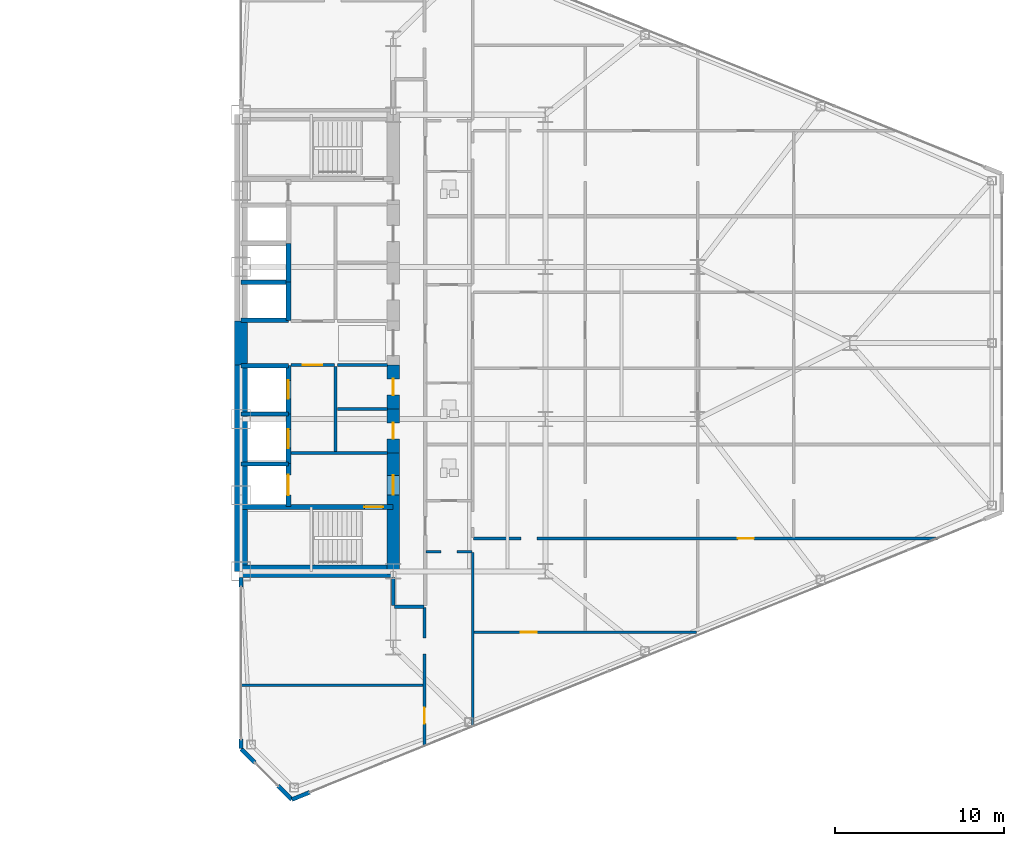
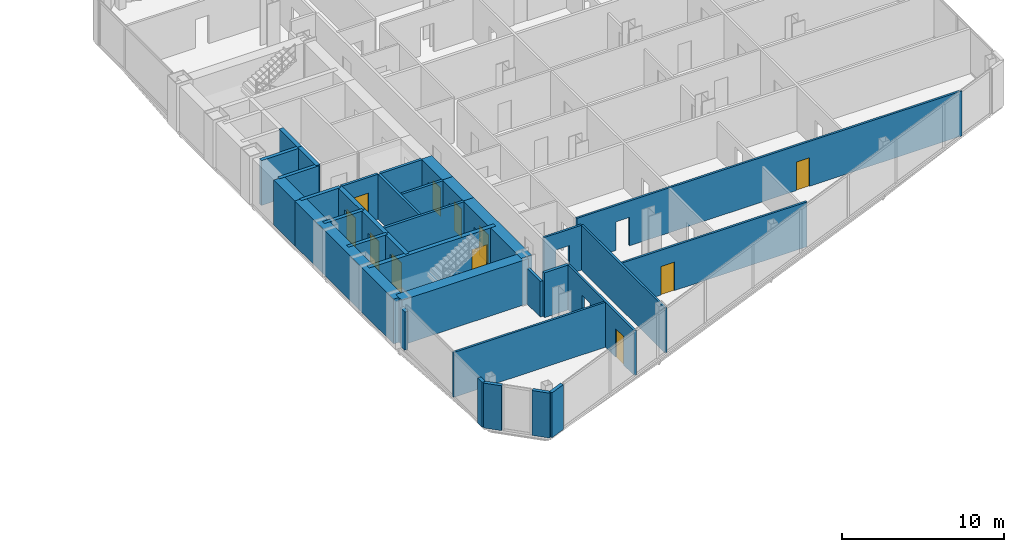
# One storey, part 20 of 25: 35 walls, 11 doors, 14 openings.
"""IFC4 building model written with IfcOpenShell, lengths in metres."""

from ifc_helpers import new_model, si_unit, direction, frame, frame_2d, origin, place, context, subcontext, project, spatial, rectangle, extrude, source, transform, mapped, material, layer, layer_set, type_object, type_shapes, element, fill, save


model = new_model("IFC4")

# Units and contexts
model_context = context("Model", 3, precision=1e-05, world=origin(), true_north=direction((0.0, 1.0)))
body_context = subcontext(model_context, "Body", "Model", "MODEL_VIEW")
ifc_project = project(units=[si_unit("LENGTHUNIT", "METRE"), si_unit("AREAUNIT", "SQUARE_METRE"), si_unit("VOLUMEUNIT", "CUBIC_METRE"), si_unit("PLANEANGLEUNIT", "RADIAN"), si_unit("MASSUNIT", "GRAM", prefix="KILO")], contexts=[model_context])

# Site, building, storey
site_placement = place(None, origin())
site = spatial("IfcSite", under=ifc_project, at=site_placement, CompositionType="ELEMENT")
building_placement = place(site_placement, origin())
building = spatial("IfcBuilding", under=site, at=building_placement, Name="Seokmaru Belvedere", CompositionType="ELEMENT")
storey_placement = place(building_placement, frame((0.0, 0.0, 29.699951171875)))
storey = spatial("IfcBuildingStorey", under=building, at=storey_placement, Name="L07", CompositionType="ELEMENT", Elevation=29.699951171875)

# Wall
ifc_material_1 = material(Name="Fire-Rated Gypsum Shaftwall")
ifc_layer_1 = layer(ifc_material_1, 0.14990234375)
ifc_layer_set_1 = layer_set([ifc_layer_1], Name="Fire-Rated Gypsum Shaftwall")
wall_type_1 = type_object("IfcWallType", Name="Apartment Fire-Acoustic Room Partition 150", PredefinedType="PARTITIONING", material=ifc_layer_set_1)
wall_1_placement = place(storey_placement, frame((27.465087890625, -20.25, 0.0), z_axis=(0.0, 0.0, 1.0), x_axis=(1.0, 0.0, 0.0)))
element("IfcWall", 1, at=wall_1_placement, inside=storey, type_object=wall_type_1, Name="L07 Interior Partition 002", PredefinedType="PARTITIONING", context=body_context, shape_type="SweptSolid", body=[
    extrude(rectangle(XDim=10.8349609375, YDim=0.14990234375, at=frame_2d((5.41748046875, 0.0))), origin(), (0.0, 0.0, 1.0), 3.380126953125),
])

# Wall, opening, door
wall_2_placement = place(storey_placement, frame((41.25, -17.110107421875, 0.0), z_axis=(0.0, 0.0, 1.0), x_axis=(1.0, 0.0, 0.0)))
wall_2 = element("IfcWall", 2, at=wall_2_placement, inside=storey, type_object=wall_type_1, Name="L07 Interior Partition 004", PredefinedType="PARTITIONING", context=body_context, shape_type="SweptSolid", body=[
    extrude(rectangle(XDim=13.199951171875, YDim=0.14990234375, at=frame_2d((6.60009765625, 0.0))), origin(), (0.0, 0.0, 1.0), 3.380126953125),
])
opening_1_placement = place(wall_2_placement, frame((2.800048828125, 0.0, 0.0)))
opening_1 = element("IfcOpeningElement", 3, at=opening_1_placement, cuts=wall_2, Name="Opening D05", PredefinedType="OPENING", context=body_context, shape_type="SweptSolid", body=[
    extrude(rectangle(XDim=0.949951171875, YDim=2.14990234375, at=frame_2d((0.47509765625, 1.074951171875))), frame((0.0, 0.0849609375, 0.0), z_axis=(0.0, -1.0, 0.0), x_axis=(1.0, 0.0, 0.0)), (0.0, 0.0, 1.0), 0.169921875),
])
ifc_material_2 = material(Name="Engineered White Oak Timber", Category="wood")
door_type_1 = type_object("IfcDoorType", Name="Apartment Interior Fire-Rated Oak Door 950x2150", OperationType="NOTDEFINED", PredefinedType="DOOR", material=ifc_material_2)
shared_shape_1 = source(origin(), body_context, "Body", "SweptSolid", [
    extrude(rectangle(XDim=0.949951171875, YDim=2.14990234375, at=frame_2d((0.47509765625, 1.074951171875))), frame((0.0, 0.02490234375, 0.0), z_axis=(0.0, -1.0, 0.0), x_axis=(1.0, 0.0, 0.0)), (0.0, 0.0, 1.0), 0.050048828125),
])
type_shapes(door_type_1, [shared_shape_1])
door_1_placement = place(opening_1_placement, origin())
door_1 = element("IfcDoor", 4, at=door_1_placement, inside=storey, type_object=door_type_1, Name="L07 Interior Door 047", OperationType="SINGLE_SWING_RIGHT", OverallHeight=2.14990234375, OverallWidth=0.949951171875, PredefinedType="DOOR", context=body_context, shape_type="MappedRepresentation", body=[
    mapped(shared_shape_1, transform((0.0, 0.0, 0.0), scale=1.0)),
])
fill(opening_1, door_1)

# Wall, opening
wall_3_placement = place(storey_placement, frame((38.449951171875, -12.330078125, 0.0), z_axis=(0.0, 0.0, 1.0), x_axis=(1.0, 0.0, 0.0)))
wall_3 = element("IfcWall", 5, at=wall_3_placement, inside=storey, type_object=wall_type_1, Name="L07 Interior Partition 009", PredefinedType="PARTITIONING", context=body_context, shape_type="SweptSolid", body=[
    extrude(rectangle(XDim=2.699951171875, YDim=0.14990234375, at=frame_2d((1.35009765625, 0.0))), origin(), (0.0, 0.0, 1.0), 3.380126953125),
])
opening_2_placement = place(wall_3_placement, frame((0.875, 0.0, 0.0)))
element("IfcOpeningElement", 6, at=opening_2_placement, cuts=wall_3, Name="L07 Cased Opening 040", PredefinedType="OPENING", context=body_context, shape_type="SweptSolid", body=[
    extrude(rectangle(XDim=0.949951171875, YDim=2.14990234375, at=frame_2d((0.47509765625, 1.074951171875))), frame((0.0, 0.0849609375, 0.0), z_axis=(0.0, -1.0, 0.0), x_axis=(1.0, 0.0, 0.0)), (0.0, 0.0, 1.0), 0.169921875),
])

# Wall, openings, door
wall_4_placement = place(storey_placement, frame((41.25, -11.56005859375, 0.0), z_axis=(0.0, 0.0, 1.0), x_axis=(1.0, 0.0, 0.0)))
wall_4 = element("IfcWall", 7, at=wall_4_placement, inside=storey, type_object=wall_type_1, Name="L07 Interior Partition 010", PredefinedType="PARTITIONING", context=body_context, shape_type="SweptSolid", body=[
    extrude(rectangle(XDim=27.43994140625, YDim=0.14990234375, at=frame_2d((13.719970703125, 0.0))), origin(), (0.0, 0.0, 1.0), 3.380126953125),
])
opening_3_placement = place(wall_4_placement, frame((2.800048828125, 0.0, 0.0)))
element("IfcOpeningElement", 8, at=opening_3_placement, cuts=wall_4, Name="L07 Cased Opening 042", PredefinedType="OPENING", context=body_context, shape_type="SweptSolid", body=[
    extrude(rectangle(XDim=0.949951171875, YDim=2.14990234375, at=frame_2d((0.47509765625, 1.074951171875))), frame((0.0, 0.0849609375, 0.0), z_axis=(0.0, -1.0, 0.0), x_axis=(1.0, 0.0, 0.0)), (0.0, 0.0, 1.0), 0.169921875),
])
opening_4_placement = place(wall_4_placement, frame((15.625, 0.0, 0.0)))
opening_4 = element("IfcOpeningElement", 9, at=opening_4_placement, cuts=wall_4, Name="Opening D05", PredefinedType="OPENING", context=body_context, shape_type="SweptSolid", body=[
    extrude(rectangle(XDim=0.949951171875, YDim=2.14990234375, at=frame_2d((0.47509765625, 1.074951171875))), frame((0.0, 0.0849609375, 0.0), z_axis=(0.0, -1.0, 0.0), x_axis=(1.0, 0.0, 0.0)), (0.0, 0.0, 1.0), 0.169921875),
])
door_2_placement = place(opening_4_placement, origin())
door_2 = element("IfcDoor", 10, at=door_2_placement, inside=storey, type_object=door_type_1, Name="L07 Interior Door 045", OperationType="SINGLE_SWING_RIGHT", OverallHeight=2.14990234375, OverallWidth=0.949951171875, PredefinedType="DOOR", context=body_context, shape_type="MappedRepresentation", body=[
    mapped(shared_shape_1, transform((0.0, 0.0, 0.0), scale=1.0)),
])
fill(opening_4, door_2)

wall_5_placement = place(storey_placement, frame((38.35009765625, -23.85791015625, 0.0), z_axis=(0.0, 0.0, 1.0), x_axis=(0.0, 1.0, 0.0)))
wall_5 = element("IfcWall", 11, at=wall_5_placement, inside=storey, type_object=wall_type_1, Name="L07 Interior Partition 052", PredefinedType="PARTITIONING", context=body_context, shape_type="SweptSolid", body=[
    extrude(rectangle(XDim=8.2080078125, YDim=0.14990234375, at=frame_2d((4.10400390625, 0.0))), origin(), (0.0, 0.0, 1.0), 3.380126953125),
])
opening_5_placement = place(wall_5_placement, frame((1.3466796875, 0.0, 0.0)))
opening_5 = element("IfcOpeningElement", 12, at=opening_5_placement, cuts=wall_5, Name="Opening D05", PredefinedType="OPENING", context=body_context, shape_type="SweptSolid", body=[
    extrude(rectangle(XDim=0.949951171875, YDim=2.14990234375, at=frame_2d((0.47509765625, 1.074951171875))), frame((0.0, 0.0849609375, 0.0), z_axis=(0.0, -1.0, 0.0), x_axis=(1.0, 0.0, 0.0)), (0.0, 0.0, 1.0), 0.169921875),
])
opening_6_placement = place(wall_5_placement, frame((5.4580078125, 0.0, 0.0)))
element("IfcOpeningElement", 13, at=opening_6_placement, cuts=wall_5, Name="L07 Cased Opening 050", PredefinedType="OPENING", context=body_context, shape_type="SweptSolid", body=[
    extrude(rectangle(XDim=0.949951171875, YDim=2.14990234375, at=frame_2d((0.47509765625, 1.074951171875))), frame((0.0, 0.0849609375, 0.0), z_axis=(0.0, -1.0, 0.0), x_axis=(1.0, 0.0, 0.0)), (0.0, 0.0, 1.0), 0.169921875),
])
door_3_placement = place(opening_5_placement, origin())
door_3 = element("IfcDoor", 14, at=door_3_placement, inside=storey, type_object=door_type_1, Name="L07 Interior Door 049", OperationType="SINGLE_SWING_LEFT", OverallHeight=2.14990234375, OverallWidth=0.949951171875, PredefinedType="DOOR", context=body_context, shape_type="MappedRepresentation", body=[
    mapped(shared_shape_1, transform((0.0, 0.0, 0.0), scale=1.0)),
])
fill(opening_5, door_3)

# Walls
wall_6_placement = place(storey_placement, frame((41.199951171875, -22.7041015625, 0.0), z_axis=(0.0, 0.0, 1.0), x_axis=(0.0, 1.0, 0.0)))
element("IfcWall", 15, at=wall_6_placement, inside=storey, type_object=wall_type_1, Name="L07 Interior Partition 055", PredefinedType="PARTITIONING", context=body_context, shape_type="SweptSolid", body=[
    extrude(rectangle(XDim=10.326171875, YDim=0.14990234375, at=frame_2d((5.1630859375, 0.0))), origin(), (0.0, 0.0, 1.0), 3.380126953125),
])
ifc_layer_2 = layer(ifc_material_1, 0.179931640625)
ifc_layer_set_2 = layer_set([ifc_layer_2], Name="Fire-Rated Gypsum Shaftwall")
wall_type_2 = type_object("IfcWallType", Name="Core Service Fire Partition 180", PredefinedType="PARTITIONING", material=ifc_layer_set_2)
wall_7_placement = place(storey_placement, frame((30.449951171875, -6.5, 0.0), z_axis=(0.0, 0.0, 1.0), x_axis=(1.0, 0.0, 0.0)))
element("IfcWall", 16, at=wall_7_placement, inside=storey, type_object=wall_type_2, Name="L07 East Firefighting Lobby Partition", PredefinedType="PARTITIONING", context=body_context, shape_type="SweptSolid", body=[
    extrude(rectangle(XDim=5.699951171875, YDim=0.179931640625, at=frame_2d((2.85009765625, 0.0))), origin(), (0.0, 0.0, 1.0), 3.380126953125),
])
wall_8_placement = place(storey_placement, frame((33.10009765625, -6.419921875, 0.0), z_axis=(0.0, 0.0, 1.0), x_axis=(0.0, 1.0, 0.0)))
element("IfcWall", 17, at=wall_8_placement, inside=storey, type_object=wall_type_2, Name="L07 East South Core Service Back Wall", PredefinedType="PARTITIONING", context=body_context, shape_type="SweptSolid", body=[
    extrude(rectangle(XDim=5.0400390625, YDim=0.179931640625, at=frame_2d((2.52001953125, 0.0))), origin(), (0.0, 0.0, 1.0), 3.380126953125),
])

# Wall, opening, door
wall_9_placement = place(storey_placement, frame((30.449951171875, -1.300048828125, 0.0), z_axis=(0.0, 0.0, 1.0), x_axis=(1.0, 0.0, 0.0)))
wall_9 = element("IfcWall", 18, at=wall_9_placement, inside=storey, type_object=wall_type_2, Name="L07 East South Lift Lobby Foyer Wall", PredefinedType="PARTITIONING", context=body_context, shape_type="SweptSolid", body=[
    extrude(rectangle(XDim=2.570068359375, YDim=0.179931640625, at=frame_2d((1.28515625, 0.0))), origin(), (0.0, 0.0, 1.0), 3.380126953125),
])
opening_7_placement = place(wall_9_placement, frame((0.7099609375, 0.0, 0.0)))
opening_7 = element("IfcOpeningElement", 19, at=opening_7_placement, cuts=wall_9, Name="Opening D02", PredefinedType="OPENING", context=body_context, shape_type="SweptSolid", body=[
    extrude(rectangle(XDim=1.14990234375, YDim=2.199951171875, at=frame_2d((0.574951171875, 1.10009765625))), frame((0.0, 0.10009765625, 0.0), z_axis=(0.0, -1.0, 0.0), x_axis=(1.0, 0.0, 0.0)), (0.0, 0.0, 1.0), 0.199951171875),
])
ifc_material_3 = material(Name="Fire-Rated Steel Leaf", Category="steel")
door_type_2 = type_object("IfcDoorType", Name="Lobby and Vestibule Fire Door 1150x2200", OperationType="NOTDEFINED", PredefinedType="DOOR", material=ifc_material_3)
shared_shape_2 = source(origin(), body_context, "Body", "SweptSolid", [
    extrude(rectangle(XDim=1.14990234375, YDim=2.199951171875, at=frame_2d((0.574951171875, 1.10009765625))), frame((0.0, 0.02490234375, 0.0), z_axis=(0.0, -1.0, 0.0), x_axis=(1.0, 0.0, 0.0)), (0.0, 0.0, 1.0), 0.050048828125),
])
type_shapes(door_type_2, [shared_shape_2])
door_4_placement = place(opening_7_placement, origin())
door_4 = element("IfcDoor", 20, at=door_4_placement, inside=storey, type_object=door_type_2, Name="L07 East South Core Foyer Door", OperationType="SINGLE_SWING_RIGHT", OverallHeight=2.199951171875, OverallWidth=1.14990234375, PredefinedType="DOOR", context=body_context, shape_type="MappedRepresentation", body=[
    mapped(shared_shape_2, transform((0.0, 0.0, 0.0), scale=1.0)),
])
fill(opening_7, door_4)

# Walls
for number, where, z_axis, x_axis, name in (
    (21, (33.199951171875, -1.300048828125, 0.0), (0.0, 0.0, 1.0), (1.0, 0.0, 0.0), "L07 East Foyer Side Wall S"),
    (22, (33.199951171875, -3.89990234375, 0.0), (0.0, 0.0, 1.0), (1.0, 0.0, 0.0), "L07 East Core Service Partition 1"),
):
    element("IfcWall", number, at=place(storey_placement, frame(where, z_axis=z_axis, x_axis=x_axis)), inside=storey, type_object=wall_type_2, Name=name, PredefinedType="PARTITIONING", context=body_context, shape_type="SweptSolid", body=[
        extrude(rectangle(XDim=2.949951171875, YDim=0.179931640625, at=frame_2d((1.47509765625, 0.0))), origin(), (0.0, 0.0, 1.0), 3.380126953125),
    ])
ifc_material_4 = material(Name="Concrete C50 (50 MPa)", Category="concrete")
ifc_layer_3 = layer(ifc_material_4, 0.25)
ifc_layer_set_3 = layer_set([ifc_layer_3], Name="Concrete C50 (50 MPa)")
wall_type_3 = type_object("IfcWallType", Name="Hoistway Transverse Concrete Divider Wall 250", PredefinedType="SHEAR", material=ifc_layer_set_3)
for number, where, z_axis, x_axis, name in (
    (23, (27.5, -7.14990234375, 0.0), (0.0, 0.0, 1.0), (1.0, 0.0, 0.0), "L07 East Hoistway Divider Core Wall 1"),
    (24, (27.5, -4.199951171875, 0.0), (0.0, 0.0, 1.0), (1.0, 0.0, 0.0), "L07 East Hoistway Divider Core Wall 2"),
    (25, (27.5, -1.35009765625, 0.0), (0.0, 0.0, 1.0), (1.0, 0.0, 0.0), "L07 East Hoistway Divider Core Wall 3"),
    (26, (27.5, 1.35009765625, 0.0), (0.0, 0.0, 1.0), (1.0, 0.0, 0.0), "L07 East Hoistway Divider Core Wall 4"),
    (27, (27.5, 3.60009765625, 0.0), (0.0, 0.0, 1.0), (1.0, 0.0, 0.0), "L07 East Hoistway Divider Core Wall 5"),
):
    element("IfcWall", number, at=place(storey_placement, frame(where, z_axis=z_axis, x_axis=x_axis)), inside=storey, type_object=wall_type_3, Name=name, PredefinedType="SHEAR", context=body_context, shape_type="SweptSolid", body=[
        extrude(rectangle(XDim=2.800048828125, YDim=0.25, at=frame_2d((1.39990234375, 0.0))), origin(), (0.0, 0.0, 1.0), 3.380126953125),
    ])
ifc_layer_4 = layer(ifc_material_1, 0.199951171875)
ifc_layer_set_4 = layer_set([ifc_layer_4], Name="Fire-Rated Gypsum Shaftwall")
wall_type_4 = type_object("IfcWallType", Name="Inter-Tenancy Fire Compartment Partition 200", PredefinedType="PARTITIONING", material=ifc_layer_set_4)
wall_10_placement = place(storey_placement, frame((36.5849609375, -15.60009765625, 0.0), z_axis=(0.0, 0.0, 1.0), x_axis=(1.0, 0.0, 0.0)))
element("IfcWall", 28, at=wall_10_placement, inside=storey, type_object=wall_type_4, Name="L07 Interior Partition 007", PredefinedType="PARTITIONING", context=body_context, shape_type="SweptSolid", body=[
    extrude(rectangle(XDim=1.72998046875, YDim=0.199951171875, at=frame_2d((0.864990234375, 0.0))), origin(), (0.0, 0.0, 1.0), 3.380126953125),
])
wall_11_placement = place(storey_placement, frame((36.5, -15.514892578125, 0.0), z_axis=(0.0, 0.0, 1.0), x_axis=(0.0, 1.0, 0.0)))
element("IfcWall", 29, at=wall_11_placement, inside=storey, type_object=wall_type_4, Name="L07 Interior Partition 050", PredefinedType="PARTITIONING", context=body_context, shape_type="SweptSolid", body=[
    extrude(rectangle(XDim=1.635009765625, YDim=0.199951171875, at=frame_2d((0.8173828125, 0.0))), origin(), (0.0, 0.0, 1.0), 2.679931640625),
])

# Wall, opening, door
ifc_layer_5 = layer(ifc_material_4, 0.300048828125)
ifc_layer_set_5 = layer_set([ifc_layer_5], Name="Concrete C50 (50 MPa)")
wall_type_5 = type_object("IfcWallType", Name="Internal Core Stair and Hoistway Wall 300", PredefinedType="SHEAR", material=ifc_layer_set_5)
wall_12_placement = place(storey_placement, frame((27.5, -9.699951171875, 0.0), z_axis=(0.0, 0.0, 1.0), x_axis=(1.0, 0.0, 0.0)))
wall_12 = element("IfcWall", 30, at=wall_12_placement, inside=storey, type_object=wall_type_5, Name="L07 East Stair ST-1 Enclosure Wall", PredefinedType="SHEAR", context=body_context, shape_type="SweptSolid", body=[
    extrude(rectangle(XDim=9.0, YDim=0.300048828125, at=frame_2d((4.5, 0.0))), origin(), (0.0, 0.0, 1.0), 3.380126953125),
])
opening_8_placement = place(wall_12_placement, frame((7.300048828125, 0.0, 0.0)))
opening_8 = element("IfcOpeningElement", 31, at=opening_8_placement, cuts=wall_12, Name="Opening D01", PredefinedType="OPENING", context=body_context, shape_type="SweptSolid", body=[
    extrude(rectangle(XDim=1.10009765625, YDim=2.199951171875, at=frame_2d((0.550048828125, 1.10009765625))), frame((0.0, 0.16015625, 0.0), z_axis=(0.0, -1.0, 0.0), x_axis=(1.0, 0.0, 0.0)), (0.0, 0.0, 1.0), 0.320068359375),
])
door_type_3 = type_object("IfcDoorType", Name="Special Escape Stair Smokeproof Fire Door 1100x2200", OperationType="NOTDEFINED", PredefinedType="DOOR", material=ifc_material_3)
shared_shape_3 = source(origin(), body_context, "Body", "SweptSolid", [
    extrude(rectangle(XDim=1.10009765625, YDim=2.199951171875, at=frame_2d((0.550048828125, 1.10009765625))), frame((0.0, 0.02490234375, 0.0), z_axis=(0.0, -1.0, 0.0), x_axis=(1.0, 0.0, 0.0)), (0.0, 0.0, 1.0), 0.050048828125),
])
type_shapes(door_type_3, [shared_shape_3])
door_5_placement = place(opening_8_placement, frame((1.10009765625, 0.0, 0.0), z_axis=(0.0, 0.0, 1.0), x_axis=(-1.0, 0.0, 0.0)))
door_5 = element("IfcDoor", 32, at=door_5_placement, inside=storey, type_object=door_type_3, Name="L07 East Special Escape Stair ST-1 Door", OperationType="SINGLE_SWING_RIGHT", OverallHeight=2.199951171875, OverallWidth=1.10009765625, PredefinedType="DOOR", context=body_context, shape_type="MappedRepresentation", body=[
    mapped(shared_shape_3, transform((0.0, 0.0, 0.0), scale=1.0)),
])
fill(opening_8, door_5)

wall_13_placement = place(storey_placement, frame((30.300048828125, -9.679931640625, 0.0), z_axis=(0.0, 0.0, 1.0), x_axis=(0.0, 1.0, 0.0)))
wall_13 = element("IfcWall", 33, at=wall_13_placement, inside=storey, type_object=wall_type_5, Name="L07 East Firefighting Lift Shaft Front Wall", PredefinedType="SHEAR", context=body_context, shape_type="SweptSolid", body=[
    extrude(rectangle(XDim=2.559814453125, YDim=0.300048828125, at=frame_2d((1.27978515625, 0.0))), origin(), (0.0, 0.0, 1.0), 3.380126953125),
])
opening_9_placement = place(wall_13_placement, frame((0.679931640625, 0.0, 0.0)))
opening_9 = element("IfcOpeningElement", 34, at=opening_9_placement, cuts=wall_13, Name="Opening LD2", PredefinedType="OPENING", context=body_context, shape_type="SweptSolid", body=[
    extrude(rectangle(XDim=1.199951171875, YDim=2.25, at=frame_2d((0.60009765625, 1.125))), frame((0.0, 0.16015625, 0.0), z_axis=(0.0, -1.0, 0.0), x_axis=(1.0, 0.0, 0.0)), (0.0, 0.0, 1.0), 0.320068359375),
])
ifc_material_5 = material(Name="Stainless Steel 316", Category="steel")
door_type_4 = type_object("IfcDoorType", Name="Firefighting Lift Sliding Landing Door 1200x2250", OperationType="DOUBLE_DOOR_SLIDING", PredefinedType="DOOR", material=ifc_material_5)
shared_shape_4 = source(origin(), body_context, "Body", "SweptSolid", [
    extrude(rectangle(XDim=1.199951171875, YDim=2.25, at=frame_2d((0.60009765625, 1.125))), frame((0.0, 0.02490234375, 0.0), z_axis=(0.0, -1.0, 0.0), x_axis=(1.0, 0.0, 0.0)), (0.0, 0.0, 1.0), 0.050048828125),
])
type_shapes(door_type_4, [shared_shape_4])
door_6_placement = place(opening_9_placement, origin())
door_6 = element("IfcDoor", 35, at=door_6_placement, inside=storey, type_object=door_type_4, Name="L07 East Firefighting Lift Landing Door", OperationType="DOUBLE_DOOR_SLIDING", OverallHeight=2.25, OverallWidth=1.199951171875, PredefinedType="DOOR", context=body_context, shape_type="MappedRepresentation", body=[
    mapped(shared_shape_4, transform((0.0, 0.0, 0.0), scale=1.0)),
])
fill(opening_9, door_6)

wall_14_placement = place(storey_placement, frame((30.300048828125, -7.1201171875, 0.0), z_axis=(0.0, 0.0, 1.0), x_axis=(0.0, 1.0, 0.0)))
wall_14 = element("IfcWall", 36, at=wall_14_placement, inside=storey, type_object=wall_type_5, Name="L07 East Low-Rise Lift PL-1 Front Wall", PredefinedType="SHEAR", context=body_context, shape_type="SweptSolid", body=[
    extrude(rectangle(XDim=2.920166015625, YDim=0.300048828125, at=frame_2d((1.4599609375, 0.0))), origin(), (0.0, 0.0, 1.0), 3.380126953125),
])
opening_10_placement = place(wall_14_placement, frame((0.909912109375, 0.0, 0.0)))
opening_10 = element("IfcOpeningElement", 37, at=opening_10_placement, cuts=wall_14, Name="Opening LD1", PredefinedType="OPENING", context=body_context, shape_type="SweptSolid", body=[
    extrude(rectangle(XDim=1.10009765625, YDim=2.199951171875, at=frame_2d((0.550048828125, 1.10009765625))), frame((0.0, 0.16015625, 0.0), z_axis=(0.0, -1.0, 0.0), x_axis=(1.0, 0.0, 0.0)), (0.0, 0.0, 1.0), 0.320068359375),
])
door_type_5 = type_object("IfcDoorType", Name="Passenger Lift Sliding Landing Door 1100x2200", OperationType="DOUBLE_DOOR_SLIDING", PredefinedType="DOOR", material=ifc_material_5)
shared_shape_5 = source(origin(), body_context, "Body", "SweptSolid", [
    extrude(rectangle(XDim=1.10009765625, YDim=2.199951171875, at=frame_2d((0.550048828125, 1.10009765625))), frame((0.0, 0.02490234375, 0.0), z_axis=(0.0, -1.0, 0.0), x_axis=(1.0, 0.0, 0.0)), (0.0, 0.0, 1.0), 0.050048828125),
])
type_shapes(door_type_5, [shared_shape_5])
door_7_placement = place(opening_10_placement, origin())
door_7 = element("IfcDoor", 38, at=door_7_placement, inside=storey, type_object=door_type_5, Name="L07 East Low-Rise Lift PL-1 Landing Door", OperationType="DOUBLE_DOOR_SLIDING", OverallHeight=2.199951171875, OverallWidth=1.10009765625, PredefinedType="DOOR", context=body_context, shape_type="MappedRepresentation", body=[
    mapped(shared_shape_5, transform((0.0, 0.0, 0.0), scale=1.0)),
])
fill(opening_10, door_7)

wall_15_placement = place(storey_placement, frame((30.300048828125, -4.199951171875, 0.0), z_axis=(0.0, 0.0, 1.0), x_axis=(0.0, 1.0, 0.0)))
wall_15 = element("IfcWall", 39, at=wall_15_placement, inside=storey, type_object=wall_type_5, Name="L07 East Low-Rise Lift PL-2 Front Wall", PredefinedType="SHEAR", context=body_context, shape_type="SweptSolid", body=[
    extrude(rectangle(XDim=2.8798828125, YDim=0.300048828125, at=frame_2d((1.43994140625, 0.0))), origin(), (0.0, 0.0, 1.0), 3.380126953125),
])
opening_11_placement = place(wall_15_placement, frame((0.889892578125, 0.0, 0.0)))
opening_11 = element("IfcOpeningElement", 40, at=opening_11_placement, cuts=wall_15, Name="Opening LD1", PredefinedType="OPENING", context=body_context, shape_type="SweptSolid", body=[
    extrude(rectangle(XDim=1.10009765625, YDim=2.199951171875, at=frame_2d((0.550048828125, 1.10009765625))), frame((0.0, 0.16015625, 0.0), z_axis=(0.0, -1.0, 0.0), x_axis=(1.0, 0.0, 0.0)), (0.0, 0.0, 1.0), 0.320068359375),
])
door_8_placement = place(opening_11_placement, origin())
door_8 = element("IfcDoor", 41, at=door_8_placement, inside=storey, type_object=door_type_5, Name="L07 East Low-Rise Lift PL-2 Landing Door", OperationType="DOUBLE_DOOR_SLIDING", OverallHeight=2.199951171875, OverallWidth=1.10009765625, PredefinedType="DOOR", context=body_context, shape_type="MappedRepresentation", body=[
    mapped(shared_shape_5, transform((0.0, 0.0, 0.0), scale=1.0)),
])
fill(opening_11, door_8)

# Walls
wall_16_placement = place(storey_placement, frame((30.300048828125, 1.320068359375, 0.0), z_axis=(0.0, 0.0, 1.0), x_axis=(0.0, 1.0, 0.0)))
element("IfcWall", 42, at=wall_16_placement, inside=storey, type_object=wall_type_5, Name="L07 East North Hoistway Wall PH1", PredefinedType="SHEAR", context=body_context, shape_type="SweptSolid", body=[
    extrude(rectangle(XDim=2.280029296875, YDim=0.300048828125, at=frame_2d((1.14013671875, 0.0))), origin(), (0.0, 0.0, 1.0), 3.380126953125),
])
wall_17_placement = place(storey_placement, frame((30.300048828125, 3.60009765625, 0.0), z_axis=(0.0, 0.0, 1.0), x_axis=(0.0, 1.0, 0.0)))
element("IfcWall", 43, at=wall_17_placement, inside=storey, type_object=wall_type_5, Name="L07 East North Hoistway Wall PH2", PredefinedType="SHEAR", context=body_context, shape_type="SweptSolid", body=[
    extrude(rectangle(XDim=2.2998046875, YDim=0.300048828125, at=frame_2d((1.14990234375, 0.0))), origin(), (0.0, 0.0, 1.0), 3.380126953125),
])
ifc_material_6 = material(Name="Concrete C60 (60 MPa)", Category="concrete")
ifc_layer_6 = layer(ifc_material_6, 0.75)
ifc_layer_set_6 = layer_set([ifc_layer_6], Name="Concrete C60 (60 MPa)")
wall_type_6 = type_object("IfcWallType", Name="Lower Tower Reinforced Concrete Core Wall 750", PredefinedType="SHEAR", material=ifc_layer_set_6)
wall_18_placement = place(storey_placement, frame((27.5, -13.5, 0.0), z_axis=(0.0, 0.0, 1.0), x_axis=(0.0, 1.0, 0.0)))
element("IfcWall", 44, at=wall_18_placement, inside=storey, type_object=wall_type_6, Name="L07 East Portal Spine Core Wall South", PredefinedType="SHEAR", context=body_context, shape_type="SweptSolid", body=[
    extrude(rectangle(XDim=12.199951171875, YDim=0.75, at=frame_2d((6.10009765625, 0.0))), origin(), (0.0, 0.0, 1.0), 3.380126953125),
])
wall_19_placement = place(storey_placement, frame((27.5, -1.300048828125, 0.0), z_axis=(0.0, 0.0, 1.0), x_axis=(0.0, 1.0, 0.0)))
element("IfcWall", 45, at=wall_19_placement, inside=storey, type_object=wall_type_6, Name="L07 East Portal Spine Core Wall Center", PredefinedType="SHEAR", context=body_context, shape_type="SweptSolid", body=[
    extrude(rectangle(XDim=2.60009765625, YDim=0.75, at=frame_2d((1.300048828125, 0.0))), origin(), (0.0, 0.0, 1.0), 3.380126953125),
])
wall_20_placement = place(storey_placement, frame((27.5, -13.5, 0.0), z_axis=(0.0, 0.0, 1.0), x_axis=(1.0, 0.0, 0.0)))
element("IfcWall", 46, at=wall_20_placement, inside=storey, type_object=wall_type_6, Name="L07 East South Core Wall", PredefinedType="SHEAR", context=body_context, shape_type="SweptSolid", body=[
    extrude(rectangle(XDim=9.0, YDim=0.75, at=frame_2d((4.5, 0.0))), origin(), (0.0, 0.0, 1.0), 3.380126953125),
])

# Wall, opening, door
wall_21_placement = place(storey_placement, frame((36.5, -13.64990234375, 0.0), z_axis=(0.0, 0.0, 1.0), x_axis=(0.0, 1.0, 0.0)))
wall_21 = element("IfcWall", 47, at=wall_21_placement, inside=storey, type_object=wall_type_6, Name="L07 East West Core Wall FF", PredefinedType="SHEAR", context=body_context, shape_type="SweptSolid", body=[
    extrude(rectangle(XDim=7.14990234375, YDim=0.75, at=frame_2d((3.574951171875, 0.0))), origin(), (0.0, 0.0, 1.0), 3.380126953125),
])
opening_12_placement = place(wall_21_placement, frame((4.675048828125, 0.0, 0.0)))
opening_12 = element("IfcOpeningElement", 48, at=opening_12_placement, cuts=wall_21, Name="Opening D02", PredefinedType="OPENING", context=body_context, shape_type="SweptSolid", body=[
    extrude(rectangle(XDim=1.14990234375, YDim=2.199951171875, at=frame_2d((0.574951171875, 1.10009765625))), frame((0.0, 0.385009765625, 0.0), z_axis=(0.0, -1.0, 0.0), x_axis=(1.0, 0.0, 0.0)), (0.0, 0.0, 1.0), 0.77001953125),
])
door_9_placement = place(opening_12_placement, origin())
door_9 = element("IfcDoor", 49, at=door_9_placement, inside=storey, type_object=door_type_2, Name="L07 East Firefighting Lobby Door", OperationType="SINGLE_SWING_RIGHT", OverallHeight=2.199951171875, OverallWidth=1.14990234375, PredefinedType="DOOR", context=body_context, shape_type="MappedRepresentation", body=[
    mapped(shared_shape_2, transform((0.0, 0.0, 0.0), scale=1.0)),
])
fill(opening_12, door_9)

wall_22_placement = place(storey_placement, frame((36.5, -6.5, 0.0), z_axis=(0.0, 0.0, 1.0), x_axis=(0.0, 1.0, 0.0)))
wall_22 = element("IfcWall", 50, at=wall_22_placement, inside=storey, type_object=wall_type_6, Name="L07 East West Core Wall CS1", PredefinedType="SHEAR", context=body_context, shape_type="SweptSolid", body=[
    extrude(rectangle(XDim=2.60009765625, YDim=0.75, at=frame_2d((1.300048828125, 0.0))), origin(), (0.0, 0.0, 1.0), 3.380126953125),
])
opening_13_placement = place(wall_22_placement, frame((0.824951171875, 0.0, 0.0)))
opening_13 = element("IfcOpeningElement", 51, at=opening_13_placement, cuts=wall_22, Name="Opening D04", PredefinedType="OPENING", context=body_context, shape_type="SweptSolid", body=[
    extrude(rectangle(XDim=0.949951171875, YDim=2.14990234375, at=frame_2d((0.47509765625, 1.074951171875))), frame((0.0, 0.385009765625, 0.0), z_axis=(0.0, -1.0, 0.0), x_axis=(1.0, 0.0, 0.0)), (0.0, 0.0, 1.0), 0.77001953125),
])
door_type_6 = type_object("IfcDoorType", Name="Core Service Room Fire Door 950x2150", OperationType="NOTDEFINED", PredefinedType="DOOR", material=ifc_material_3)
shared_shape_6 = source(origin(), body_context, "Body", "SweptSolid", [
    extrude(rectangle(XDim=0.949951171875, YDim=2.14990234375, at=frame_2d((0.47509765625, 1.074951171875))), frame((0.0, 0.02490234375, 0.0), z_axis=(0.0, -1.0, 0.0), x_axis=(1.0, 0.0, 0.0)), (0.0, 0.0, 1.0), 0.050048828125),
])
type_shapes(door_type_6, [shared_shape_6])
door_10_placement = place(opening_13_placement, origin())
door_10 = element("IfcDoor", 52, at=door_10_placement, inside=storey, type_object=door_type_6, Name="L07 East Core Service Room Door 1", OperationType="SINGLE_SWING_RIGHT", OverallHeight=2.14990234375, OverallWidth=0.949951171875, PredefinedType="DOOR", context=body_context, shape_type="MappedRepresentation", body=[
    mapped(shared_shape_6, transform((0.0, 0.0, 0.0), scale=1.0)),
])
fill(opening_13, door_10)

wall_23_placement = place(storey_placement, frame((36.5, -3.89990234375, 0.0), z_axis=(0.0, 0.0, 1.0), x_axis=(0.0, 1.0, 0.0)))
wall_23 = element("IfcWall", 53, at=wall_23_placement, inside=storey, type_object=wall_type_6, Name="L07 East West Core Wall CS2", PredefinedType="SHEAR", context=body_context, shape_type="SweptSolid", body=[
    extrude(rectangle(XDim=2.599853515625, YDim=0.75, at=frame_2d((1.2998046875, 0.0))), origin(), (0.0, 0.0, 1.0), 3.380126953125),
])
opening_14_placement = place(wall_23_placement, frame((0.824951171875, 0.0, 0.0)))
opening_14 = element("IfcOpeningElement", 54, at=opening_14_placement, cuts=wall_23, Name="Opening D04", PredefinedType="OPENING", context=body_context, shape_type="SweptSolid", body=[
    extrude(rectangle(XDim=0.949951171875, YDim=2.14990234375, at=frame_2d((0.47509765625, 1.074951171875))), frame((0.0, 0.385009765625, 0.0), z_axis=(0.0, -1.0, 0.0), x_axis=(1.0, 0.0, 0.0)), (0.0, 0.0, 1.0), 0.77001953125),
])
door_11_placement = place(opening_14_placement, origin())
door_11 = element("IfcDoor", 55, at=door_11_placement, inside=storey, type_object=door_type_6, Name="L07 East Core Service Room Door 2", OperationType="SINGLE_SWING_LEFT", OverallHeight=2.14990234375, OverallWidth=0.949951171875, PredefinedType="DOOR", context=body_context, shape_type="MappedRepresentation", body=[
    mapped(shared_shape_6, transform((0.0, 0.0, 0.0), scale=1.0)),
])
fill(opening_14, door_11)

# Walls
ifc_material_7 = material(Name="Anodised Bronze Aluminium", Category="aluminium")
ifc_layer_7 = layer(ifc_material_7, 0.239990234375)
ifc_layer_set_7 = layer_set([ifc_layer_7], Name="Anodised Bronze Aluminium")
wall_type_7 = type_object("IfcWallType", Name="Tower Corner Spandrel Closure Wall 240", PredefinedType="SOLIDWALL", material=ifc_layer_set_7)
wall_24_placement = place(storey_placement, frame((30.50927734375, -26.99609375, 0.0), z_axis=(0.0, 0.0, 1.0), x_axis=(0.927007103665, 0.375043770452, 0.0)))
element("IfcWall", 56, at=wall_24_placement, inside=storey, type_object=wall_type_7, Name="L07 E Corner Closure Pier 1A", PredefinedType="SOLIDWALL", context=body_context, shape_type="SweptSolid", body=[
    extrude(rectangle(XDim=1.139892578125, YDim=0.239990234375, at=frame_2d((0.56982421875, 0.0))), origin(), (0.0, 0.0, 1.0), 3.380126953125),
])
wall_25_placement = place(storey_placement, frame((27.5, -23.97998046875, 0.0), z_axis=(0.0, 0.0, 1.0), x_axis=(0.0, 1.0, 0.0)))
element("IfcWall", 57, at=wall_25_placement, inside=storey, type_object=wall_type_7, Name="L07 E Spine Closure Pier 1A", PredefinedType="SOLIDWALL", context=body_context, shape_type="SweptSolid", body=[
    extrude(rectangle(XDim=0.550048828125, YDim=0.239990234375, at=frame_2d((0.27490234375, 0.0))), origin(), (0.0, 0.0, 1.0), 3.380126953125),
])
wall_26_placement = place(storey_placement, frame((27.5, -14.429931640625, 0.0), z_axis=(0.0, 0.0, 1.0), x_axis=(0.0, 1.0, 0.0)))
element("IfcWall", 58, at=wall_26_placement, inside=storey, type_object=wall_type_7, Name="L07 E Spine Closure Pier 1B", PredefinedType="SOLIDWALL", context=body_context, shape_type="SweptSolid", body=[
    extrude(rectangle(XDim=0.550048828125, YDim=0.239990234375, at=frame_2d((0.27490234375, 0.0))), origin(), (0.0, 0.0, 1.0), 2.880126953125),
])
for number, where, z_axis, x_axis, name in (
    (59, (27.507080078125, -24.007080078125, 0.0), (0.0, 0.0, 1.0), (0.707106781187, -0.707106781187, 0.0), "L07 E Corner Closure Pier 6A"),
    (60, (29.686767578125, -26.186767578125, 0.0), (0.0, 0.0, 1.0), (0.707106781187, -0.707106781187, 0.0), "L07 E Corner Closure Pier 6B"),
):
    element("IfcWall", number, at=place(storey_placement, frame(where, z_axis=z_axis, x_axis=x_axis)), inside=storey, type_object=wall_type_7, Name=name, PredefinedType="SOLIDWALL", context=body_context, shape_type="SweptSolid", body=[
        extrude(rectangle(XDim=1.14013671875, YDim=0.239990234375, at=frame_2d((0.570068359375, 0.0))), origin(), (0.0, 0.0, 1.0), 3.380126953125),
    ])

save(model, "model.ifc")
